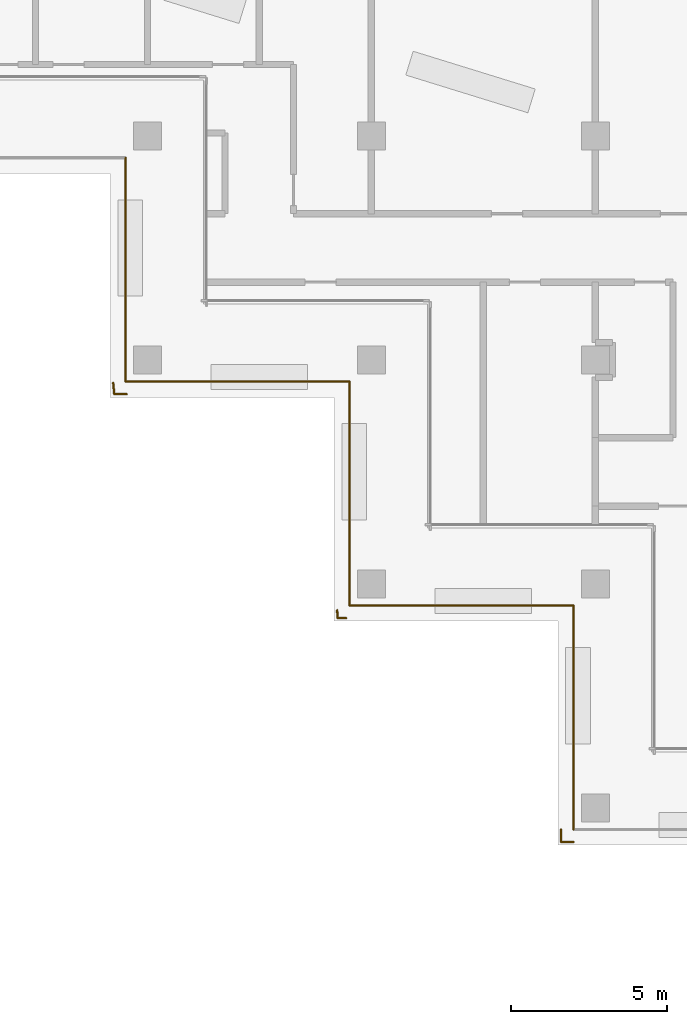
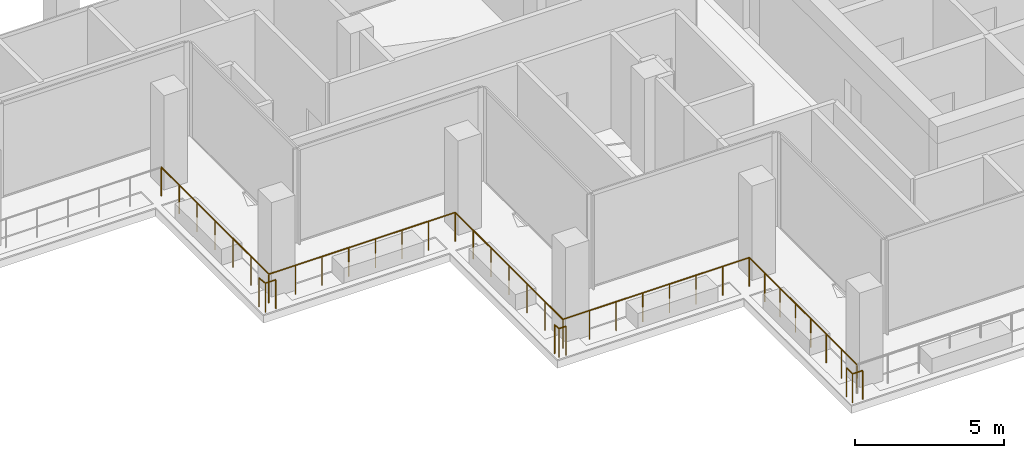
# One storey, part 13 of 19: 11 railings.
"""IFC4 building model written with IfcOpenShell, lengths in metres."""

from ifc_helpers import new_model, si_unit, direction, frame, origin, origin_2d, place, context, subcontext, project, spatial, circle, extrude, material, type_object, element, save


model = new_model("IFC4")

# Units and contexts
model_context = context("Model", 3, precision=1e-05, world=origin(), true_north=direction((0.0, 1.0)))
body_context = subcontext(model_context, "Body", "Model", "MODEL_VIEW")
ifc_project = project(units=[si_unit("LENGTHUNIT", "METRE"), si_unit("AREAUNIT", "SQUARE_METRE"), si_unit("VOLUMEUNIT", "CUBIC_METRE"), si_unit("PLANEANGLEUNIT", "RADIAN"), si_unit("MASSUNIT", "GRAM", prefix="KILO")], contexts=[model_context])

# Site, building, storey
site_placement = place(None, origin())
site = spatial("IfcSite", under=ifc_project, at=site_placement, CompositionType="ELEMENT")
building_placement = place(site_placement, origin())
building = spatial("IfcBuilding", under=site, at=building_placement, Name="Windrow Commons", CompositionType="ELEMENT")
storey_placement = place(building_placement, frame((0.0, 0.0, 185.4)))
storey = spatial("IfcBuildingStorey", under=building, at=storey_placement, Name="L50", CompositionType="ELEMENT", Elevation=185.4)

# Railings
ifc_material = material(Name="Stainless steel S316 balustrade with toughened glass infill", Category="steel")
railing_type = type_object("IfcRailingType", Name="Terrace guard 1200 podium", PredefinedType="BALUSTRADE", material=ifc_material)
railing_1_placement = place(storey_placement, frame((49.7, 42.5, 0.05)))
element("IfcRailing", 1, at=railing_1_placement, inside=storey, type_object=railing_type, Name="Guard TR-L50-1.E2", PredefinedType="BALUSTRADE", context=body_context, shape_type="SweptSolid", body=[
    extrude(circle(Radius=0.025, at=origin_2d()), frame((0.0, 0.0, 1.175), z_axis=(0.0, 1.0, 0.0), x_axis=(-1.0, 0.0, 0.0)), (0.0, 0.0, 1.0), 7.2),
    extrude(circle(Radius=0.02, at=origin_2d()), origin(), (0.0, 0.0, 1.0), 1.15),
    extrude(circle(Radius=0.02, at=origin_2d()), frame((0.0, 1.0286, 0.0)), (0.0, 0.0, 1.0), 1.15),
    extrude(circle(Radius=0.02, at=origin_2d()), frame((0.0, 2.0571, 0.0)), (0.0, 0.0, 1.0), 1.15),
    extrude(circle(Radius=0.02, at=origin_2d()), frame((0.0, 3.0857, 0.0)), (0.0, 0.0, 1.0), 1.15),
    extrude(circle(Radius=0.02, at=origin_2d()), frame((0.0, 4.1143, 0.0)), (0.0, 0.0, 1.0), 1.15),
    extrude(circle(Radius=0.02, at=origin_2d()), frame((0.0, 5.1429, 0.0)), (0.0, 0.0, 1.0), 1.15),
    extrude(circle(Radius=0.02, at=origin_2d()), frame((0.0, 6.1714, 0.0)), (0.0, 0.0, 1.0), 1.15),
    extrude(circle(Radius=0.02, at=origin_2d()), frame((0.0, 7.2, 0.0)), (0.0, 0.0, 1.0), 1.15),
])
railing_2_placement = place(storey_placement, frame((49.7, 49.7, 0.05)))
element("IfcRailing", 2, at=railing_2_placement, inside=storey, type_object=railing_type, Name="Guard TR-L50-1.E3", PredefinedType="BALUSTRADE", context=body_context, shape_type="SweptSolid", body=[
    extrude(circle(Radius=0.025, at=origin_2d()), frame((0.0, 0.0, 1.175), z_axis=(-1.0, 0.0, 0.0), x_axis=(0.0, -1.0, 0.0)), (0.0, 0.0, 1.0), 7.2),
    extrude(circle(Radius=0.02, at=origin_2d()), origin(), (0.0, 0.0, 1.0), 1.15),
    extrude(circle(Radius=0.02, at=origin_2d()), frame((-1.0286, 0.0, 0.0)), (0.0, 0.0, 1.0), 1.15),
    extrude(circle(Radius=0.02, at=origin_2d()), frame((-2.0571, 0.0, 0.0)), (0.0, 0.0, 1.0), 1.15),
    extrude(circle(Radius=0.02, at=origin_2d()), frame((-3.0857, 0.0, 0.0)), (0.0, 0.0, 1.0), 1.15),
    extrude(circle(Radius=0.02, at=origin_2d()), frame((-4.1143, 0.0, 0.0)), (0.0, 0.0, 1.0), 1.15),
    extrude(circle(Radius=0.02, at=origin_2d()), frame((-5.1429, 0.0, 0.0)), (0.0, 0.0, 1.0), 1.15),
    extrude(circle(Radius=0.02, at=origin_2d()), frame((-6.1714, 0.0, 0.0)), (0.0, 0.0, 1.0), 1.15),
    extrude(circle(Radius=0.02, at=origin_2d()), frame((-7.2, 0.0, 0.0)), (0.0, 0.0, 1.0), 1.15),
])
railing_3_placement = place(storey_placement, frame((42.5, 49.7, 0.05)))
element("IfcRailing", 3, at=railing_3_placement, inside=storey, type_object=railing_type, Name="Guard TR-L50-1.E4", PredefinedType="BALUSTRADE", context=body_context, shape_type="SweptSolid", body=[
    extrude(circle(Radius=0.025, at=origin_2d()), frame((0.0, 0.0, 1.175), z_axis=(0.0, 1.0, 0.0), x_axis=(-1.0, 0.0, 0.0)), (0.0, 0.0, 1.0), 7.2),
    extrude(circle(Radius=0.02, at=origin_2d()), origin(), (0.0, 0.0, 1.0), 1.15),
    extrude(circle(Radius=0.02, at=origin_2d()), frame((0.0, 1.2, 0.0)), (0.0, 0.0, 1.0), 1.15),
    extrude(circle(Radius=0.02, at=origin_2d()), frame((0.0, 2.4, 0.0)), (0.0, 0.0, 1.0), 1.15),
    extrude(circle(Radius=0.02, at=origin_2d()), frame((0.0, 3.6, 0.0)), (0.0, 0.0, 1.0), 1.15),
    extrude(circle(Radius=0.02, at=origin_2d()), frame((0.0, 4.8, 0.0)), (0.0, 0.0, 1.0), 1.15),
    extrude(circle(Radius=0.02, at=origin_2d()), frame((0.0, 6.0, 0.0)), (0.0, 0.0, 1.0), 1.15),
    extrude(circle(Radius=0.02, at=origin_2d()), frame((0.0, 7.2, 0.0)), (0.0, 0.0, 1.0), 1.15),
])
railing_4_placement = place(storey_placement, frame((42.5, 56.9, 0.05)))
element("IfcRailing", 4, at=railing_4_placement, inside=storey, type_object=railing_type, Name="Guard TR-L50-1.E5", PredefinedType="BALUSTRADE", context=body_context, shape_type="SweptSolid", body=[
    extrude(circle(Radius=0.025, at=origin_2d()), frame((0.0, 0.0, 1.175), z_axis=(-1.0, 0.0, 0.0), x_axis=(0.0, -1.0, 0.0)), (0.0, 0.0, 1.0), 7.2),
    extrude(circle(Radius=0.02, at=origin_2d()), origin(), (0.0, 0.0, 1.0), 1.15),
    extrude(circle(Radius=0.02, at=origin_2d()), frame((-1.0286, 0.0, 0.0)), (0.0, 0.0, 1.0), 1.15),
    extrude(circle(Radius=0.02, at=origin_2d()), frame((-2.0571, 0.0, 0.0)), (0.0, 0.0, 1.0), 1.15),
    extrude(circle(Radius=0.02, at=origin_2d()), frame((-3.0857, 0.0, 0.0)), (0.0, 0.0, 1.0), 1.15),
    extrude(circle(Radius=0.02, at=origin_2d()), frame((-4.1143, 0.0, 0.0)), (0.0, 0.0, 1.0), 1.15),
    extrude(circle(Radius=0.02, at=origin_2d()), frame((-5.1429, 0.0, 0.0)), (0.0, 0.0, 1.0), 1.15),
    extrude(circle(Radius=0.02, at=origin_2d()), frame((-6.1714, 0.0, 0.0)), (0.0, 0.0, 1.0), 1.15),
    extrude(circle(Radius=0.02, at=origin_2d()), frame((-7.2, 0.0, 0.0)), (0.0, 0.0, 1.0), 1.15),
])
railing_5_placement = place(storey_placement, frame((35.3, 56.9, 0.05)))
element("IfcRailing", 5, at=railing_5_placement, inside=storey, type_object=railing_type, Name="Guard TR-L50-1.E6", PredefinedType="BALUSTRADE", context=body_context, shape_type="SweptSolid", body=[
    extrude(circle(Radius=0.025, at=origin_2d()), frame((0.0, 0.0, 1.175), z_axis=(0.0, 1.0, 0.0), x_axis=(-1.0, 0.0, 0.0)), (0.0, 0.0, 1.0), 7.2),
    extrude(circle(Radius=0.02, at=origin_2d()), origin(), (0.0, 0.0, 1.0), 1.15),
    extrude(circle(Radius=0.02, at=origin_2d()), frame((0.0, 1.2, 0.0)), (0.0, 0.0, 1.0), 1.15),
    extrude(circle(Radius=0.02, at=origin_2d()), frame((0.0, 2.4, 0.0)), (0.0, 0.0, 1.0), 1.15),
    extrude(circle(Radius=0.02, at=origin_2d()), frame((0.0, 3.6, 0.0)), (0.0, 0.0, 1.0), 1.15),
    extrude(circle(Radius=0.02, at=origin_2d()), frame((0.0, 4.8, 0.0)), (0.0, 0.0, 1.0), 1.15),
    extrude(circle(Radius=0.02, at=origin_2d()), frame((0.0, 6.0, 0.0)), (0.0, 0.0, 1.0), 1.15),
    extrude(circle(Radius=0.02, at=origin_2d()), frame((0.0, 7.2, 0.0)), (0.0, 0.0, 1.0), 1.15),
])
railing_6_placement = place(storey_placement, frame((35.3377, 56.5, 0.05)))
element("IfcRailing", 6, at=railing_6_placement, inside=storey, type_object=railing_type, Name="Guard TR-L50-1.C194", PredefinedType="BALUSTRADE", context=body_context, shape_type="SweptSolid", body=[
    extrude(circle(Radius=0.025, at=origin_2d()), frame((0.0, 0.0, 1.175), z_axis=(-1.0, 0.0, 0.0), x_axis=(0.0, -1.0, 0.0)), (0.0, 0.0, 1.0), 0.4002),
    extrude(circle(Radius=0.02, at=origin_2d()), origin(), (0.0, 0.0, 1.0), 1.15),
    extrude(circle(Radius=0.02, at=origin_2d()), frame((-0.4002, 0.0, 0.0)), (0.0, 0.0, 1.0), 1.15),
])
railing_7_placement = place(storey_placement, frame((34.9375, 56.5, 0.05)))
element("IfcRailing", 7, at=railing_7_placement, inside=storey, type_object=railing_type, Name="Guard TR-L50-1.C195", PredefinedType="BALUSTRADE", context=body_context, shape_type="SweptSolid", body=[
    extrude(circle(Radius=0.025, at=origin_2d()), frame((0.0, 0.0, 1.175), z_axis=(-0.1028710733, 0.994694698, 0.0), x_axis=(-0.994694698, -0.1028710733, 0.0)), (0.0, 0.0, 1.0), 0.3645),
    extrude(circle(Radius=0.02, at=origin_2d()), origin(), (0.0, 0.0, 1.0), 1.15),
    extrude(circle(Radius=0.02, at=origin_2d()), frame((-0.0375, 0.3626, 0.0)), (0.0, 0.0, 1.0), 1.15),
])
railing_8_placement = place(storey_placement, frame((42.3923, 49.3, 0.05)))
element("IfcRailing", 8, at=railing_8_placement, inside=storey, type_object=railing_type, Name="Guard TR-L50-1.C196", PredefinedType="BALUSTRADE", context=body_context, shape_type="SweptSolid", body=[
    extrude(circle(Radius=0.025, at=origin_2d()), frame((0.0, 0.0, 1.175), z_axis=(-1.0, 0.0, 0.0), x_axis=(0.0, -1.0, 0.0)), (0.0, 0.0, 1.0), 0.2751),
    extrude(circle(Radius=0.02, at=origin_2d()), origin(), (0.0, 0.0, 1.0), 1.15),
    extrude(circle(Radius=0.02, at=origin_2d()), frame((-0.2751, 0.0, 0.0)), (0.0, 0.0, 1.0), 1.15),
])
railing_9_placement = place(storey_placement, frame((42.1172, 49.3, 0.05)))
element("IfcRailing", 9, at=railing_9_placement, inside=storey, type_object=railing_type, Name="Guard TR-L50-1.C197", PredefinedType="BALUSTRADE", context=body_context, shape_type="SweptSolid", body=[
    extrude(circle(Radius=0.025, at=origin_2d()), frame((0.0, 0.0, 1.175), z_axis=(-0.0665446889, 0.9977834456, 0.0), x_axis=(-0.9977834456, -0.0665446889, 0.0)), (0.0, 0.0, 1.0), 0.2585),
    extrude(circle(Radius=0.02, at=origin_2d()), origin(), (0.0, 0.0, 1.0), 1.15),
    extrude(circle(Radius=0.02, at=origin_2d()), frame((-0.0172, 0.2579, 0.0)), (0.0, 0.0, 1.0), 1.15),
])
railing_10_placement = place(storey_placement, frame((49.697, 42.1, 0.05)))
element("IfcRailing", 10, at=railing_10_placement, inside=storey, type_object=railing_type, Name="Guard TR-L50-1.C198", PredefinedType="BALUSTRADE", context=body_context, shape_type="SweptSolid", body=[
    extrude(circle(Radius=0.025, at=origin_2d()), frame((0.0, 0.0, 1.175), z_axis=(-0.9999695146, 0.0078083262, 0.0), x_axis=(-0.0078083262, -0.9999695146, 0.0)), (0.0, 0.0, 1.0), 0.397),
    extrude(circle(Radius=0.02, at=origin_2d()), origin(), (0.0, 0.0, 1.0), 1.15),
    extrude(circle(Radius=0.02, at=origin_2d()), frame((-0.397, 0.0031, 0.0)), (0.0, 0.0, 1.0), 1.15),
])
railing_11_placement = place(storey_placement, frame((49.3, 42.1031, 0.05)))
element("IfcRailing", 11, at=railing_11_placement, inside=storey, type_object=railing_type, Name="Guard TR-L50-1.C199", PredefinedType="BALUSTRADE", context=body_context, shape_type="SweptSolid", body=[
    extrude(circle(Radius=0.025, at=origin_2d()), frame((0.0, 0.0, 1.175), z_axis=(0.0, 1.0, 0.0), x_axis=(-1.0, 0.0, 0.0)), (0.0, 0.0, 1.0), 0.4002),
    extrude(circle(Radius=0.02, at=origin_2d()), origin(), (0.0, 0.0, 1.0), 1.15),
    extrude(circle(Radius=0.02, at=origin_2d()), frame((0.0, 0.4002, 0.0)), (0.0, 0.0, 1.0), 1.15),
])

save(model, "model.ifc")
